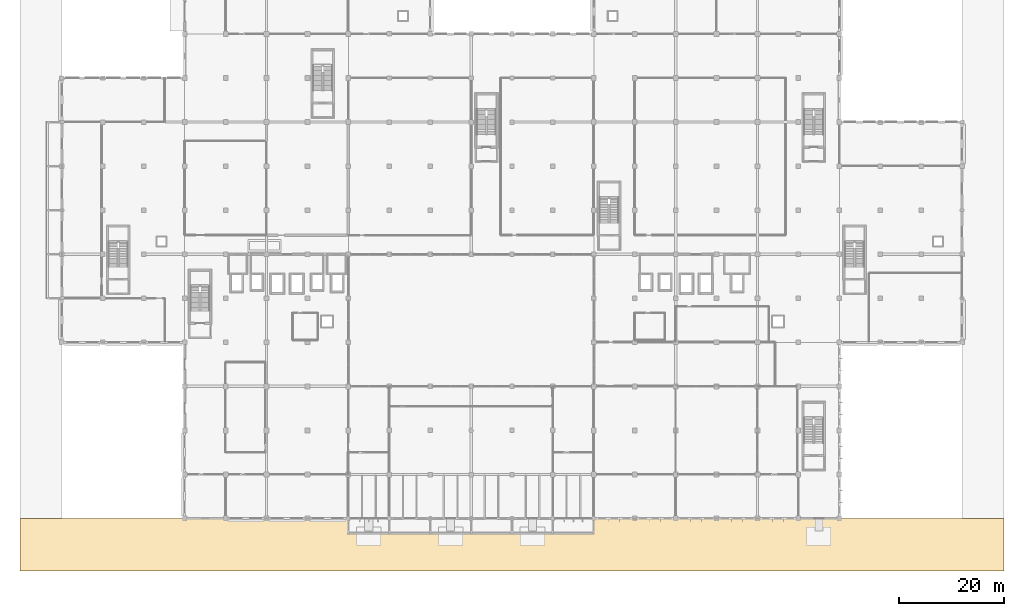
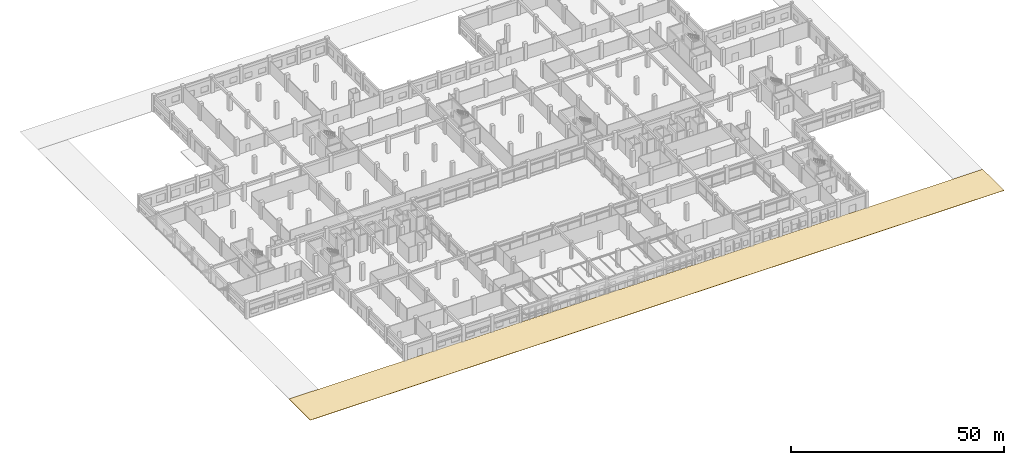
# One storey, part 65 of 74: 1 covering.
"""IFC4 building model written with IfcOpenShell, lengths in metres."""

from ifc_helpers import new_model, si_unit, direction, frame, origin, place, context, subcontext, project, spatial, polyline, outline, extrude, material, layer, layer_set, type_object, element, save


model = new_model("IFC4")

# Units and contexts
model_context = context("Model", 3, precision=1e-05, world=origin(), true_north=direction((0.0, 1.0)))
body_context = subcontext(model_context, "Body", "Model", "MODEL_VIEW")
ifc_project = project(units=[si_unit("LENGTHUNIT", "METRE"), si_unit("AREAUNIT", "SQUARE_METRE"), si_unit("VOLUMEUNIT", "CUBIC_METRE"), si_unit("PLANEANGLEUNIT", "RADIAN"), si_unit("MASSUNIT", "GRAM", prefix="KILO"), si_unit("THERMODYNAMICTEMPERATUREUNIT", "KELVIN"), si_unit("POWERUNIT", "WATT")], contexts=[model_context])

# Site, building, storey
site_placement = place(None, origin())
site = spatial("IfcSite", under=ifc_project, at=site_placement, CompositionType="ELEMENT")
building_placement = place(site_placement, origin())
building = spatial("IfcBuilding", under=site, at=building_placement, Name="Srebrne Nadtorze General Hospital", CompositionType="ELEMENT")
storey_placement = place(building_placement, origin())
storey = spatial("IfcBuildingStorey", under=building, at=storey_placement, Name="L00", CompositionType="ELEMENT", Elevation=0.0)

# Covering
ifc_material = material(Name="Concrete C35/45 precast", Category="concrete")
ifc_layer = layer(ifc_material, 0.080078125)
ifc_layer_set = layer_set([ifc_layer], Name="Concrete C35/45 precast")
covering_type = type_object("IfcCoveringType", Name="Granite civic forecourt and perimeter paving", PredefinedType="USERDEFINED", material=ifc_layer_set)
covering_placement = place(storey_placement, frame((0.0, 0.0, -0.080078125)))
element("IfcCovering", 1, at=covering_placement, inside=storey, type_object=covering_type, Name="Civic plaza and perimeter site access paving SOUTH", ObjectType="PAVING", PredefinedType="USERDEFINED", context=body_context, shape_type="SweptSolid", body=[
    extrude(outline(polyline([(-8.0, -10.0), (179.60009765625, -10.0), (179.60009765625, -0.02001953125), (-8.0, -0.02001953125), (-8.0, -10.0)])), origin(), (0.0, 0.0, 1.0), 0.080078125),
])

save(model, "model.ifc")
